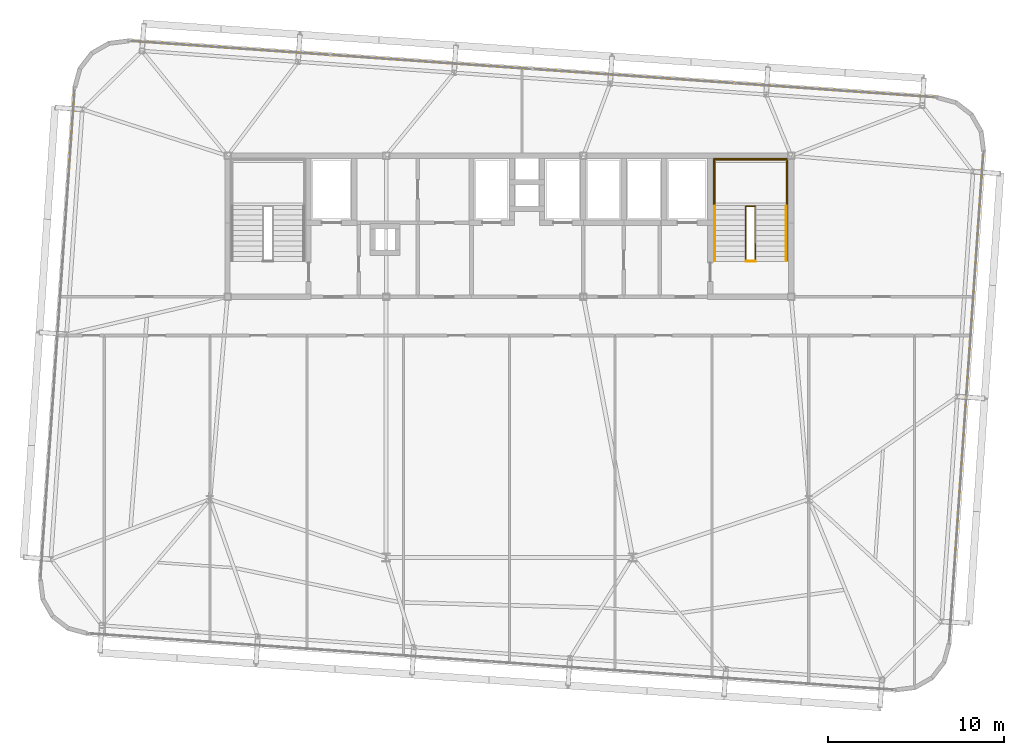
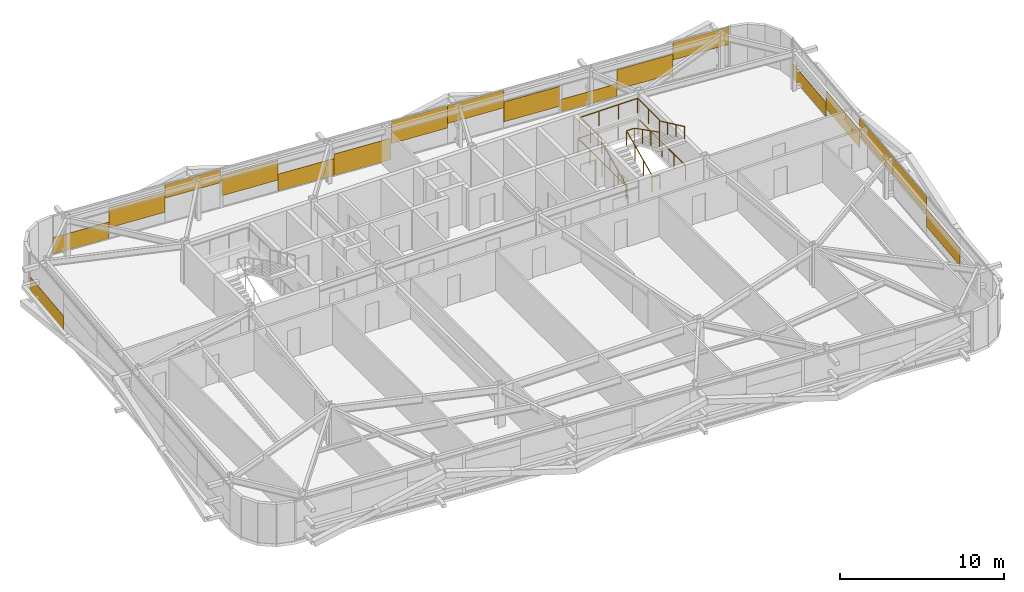
# One storey, part 39 of 39: 18 coverings, 6 railings.
"""IFC4 building model written with IfcOpenShell, lengths in metres."""

from ifc_helpers import new_model, si_unit, direction, frame, origin, origin_2d, place, context, subcontext, project, spatial, rectangle, extrude, source, transform, mapped, material, layer, layer_set, type_object, element, save


model = new_model("IFC4")

# Units and contexts
model_context = context("Model", 3, precision=1e-05, world=origin(), true_north=direction((0.0, 1.0)))
body_context = subcontext(model_context, "Body", "Model", "MODEL_VIEW")
ifc_project = project(units=[si_unit("LENGTHUNIT", "METRE"), si_unit("AREAUNIT", "SQUARE_METRE"), si_unit("VOLUMEUNIT", "CUBIC_METRE"), si_unit("PLANEANGLEUNIT", "RADIAN"), si_unit("MASSUNIT", "GRAM", prefix="KILO")], contexts=[model_context])

# Site, building, storey
site_placement = place(None, origin())
site = spatial("IfcSite", under=ifc_project, at=site_placement, CompositionType="ELEMENT")
building_placement = place(site_placement, origin())
building = spatial("IfcBuilding", under=site, at=building_placement, Name="Taldren Reach Tower", CompositionType="ELEMENT")
storey_placement = place(building_placement, frame((0.0, 0.0, 120.39990234375)))
storey = spatial("IfcBuildingStorey", under=building, at=storey_placement, Name="L36", CompositionType="ELEMENT", Elevation=120.39990234375)

# Railings
ifc_material_1 = material(Name="Steel Gr 350 (C350L0)", Category="steel")
ifc_layer_1 = layer(ifc_material_1, 0.050048828125)
ifc_layer_set_1 = layer_set([ifc_layer_1], Name="Steel Gr 350 (C350L0)")
railing_type_1 = type_object("IfcRailingType", Name="RL-STAIR-GR", PredefinedType="GUARDRAIL", material=ifc_layer_set_1)
railing_1_placement = place(storey_placement, frame((46.659912109375, 29.135009765625, 1.5751953125)))
element("IfcRailing", 1, at=railing_1_placement, inside=storey, type_object=railing_type_1, Name="Stair half-landing perimeter guard ST2-L36", PredefinedType="GUARDRAIL", context=body_context, shape_type="SweptSolid", body=[
    extrude(rectangle(XDim=0.047852, YDim=0.047852, at=origin_2d()), frame((0.0, 0.0, 1.09619140625), z_axis=(0.0, 1.0, 0.0), x_axis=(-1.0, 0.0, 0.0)), (0.0, 0.0, 1.0), 2.64501953125),
    extrude(rectangle(XDim=0.047852, YDim=0.047852, at=origin_2d()), frame((0.0, 2.64501953125, 1.09619140625), z_axis=(1.0, 0.0, 0.0), x_axis=(0.0, 1.0, 0.0)), (0.0, 0.0, 1.0), 4.080078125),
    extrude(rectangle(XDim=0.047852, YDim=0.047852, at=origin_2d()), frame((4.080078125, 2.64501953125, 1.09619140625), z_axis=(0.0, -1.0, 0.0), x_axis=(1.0, 0.0, 0.0)), (0.0, 0.0, 1.0), 2.64501953125),
    extrude(rectangle(XDim=0.041992, YDim=0.041992, at=origin_2d()), origin(), (0.0, 0.0, 1.0), 1.072021484375),
    extrude(rectangle(XDim=0.041992, YDim=0.041992, at=origin_2d()), frame((0.0, 1.322509765625, 0.0)), (0.0, 0.0, 1.0), 1.072021484375),
    extrude(rectangle(XDim=0.041992, YDim=0.041992, at=origin_2d()), frame((0.0, 2.64501953125, 0.0)), (0.0, 0.0, 1.0), 1.072021484375),
    extrude(rectangle(XDim=0.041992, YDim=0.041992, at=origin_2d()), frame((1.360107421875, 2.64501953125, 0.0)), (0.0, 0.0, 1.0), 1.072021484375),
    extrude(rectangle(XDim=0.041992, YDim=0.041992, at=origin_2d()), frame((2.719970703125, 2.64501953125, 0.0)), (0.0, 0.0, 1.0), 1.072021484375),
    extrude(rectangle(XDim=0.041992, YDim=0.041992, at=origin_2d()), frame((4.080078125, 2.64501953125, 0.0)), (0.0, 0.0, 1.0), 1.072021484375),
    extrude(rectangle(XDim=0.041992, YDim=0.041992, at=origin_2d()), frame((4.080078125, 1.322509765625, 0.0)), (0.0, 0.0, 1.0), 1.072021484375),
    extrude(rectangle(XDim=0.041992, YDim=0.041992, at=origin_2d()), frame((4.080078125, 0.0, 0.0)), (0.0, 0.0, 1.0), 1.072021484375),
])
railing_2_placement = place(storey_placement, frame((48.429931640625, 26.050048828125, 0.13134765625)))
element("IfcRailing", 2, at=railing_2_placement, inside=storey, type_object=railing_type_1, Name="Stairwell inner guard ST2-L36", PredefinedType="GUARDRAIL", context=body_context, shape_type="SweptSolid", body=[
    extrude(rectangle(XDim=0.047852, YDim=0.047852, at=origin_2d()), frame((0.0, 0.0, 1.09619140625), z_axis=(0.0, 0.905710134349, 0.423897573167), x_axis=(-1.0, 0.0, 0.0)), (0.0, 0.0, 1.0), 3.406005859375),
    extrude(rectangle(XDim=0.047852, YDim=0.047852, at=origin_2d()), frame((0.0, 3.0849609375, 2.5400390625), z_axis=(1.0, 0.0, 0.0), x_axis=(0.0, 1.0, 0.0)), (0.0, 0.0, 1.0), 0.5400390625),
    extrude(rectangle(XDim=0.047852, YDim=0.047852, at=origin_2d()), frame((0.5400390625, 3.0849609375, 2.5400390625), z_axis=(0.0, -0.890645957773, 0.45469745755), x_axis=(1.0, 0.0, 0.0)), (0.0, 0.0, 1.0), 3.463623046875),
    extrude(rectangle(XDim=0.041992, YDim=0.041992, at=origin_2d()), origin(), (0.0, 0.0, 1.0), 1.072021484375),
    extrude(rectangle(XDim=0.041992, YDim=0.041992, at=origin_2d()), frame((0.0, 1.0283203125, 0.481201171875)), (0.0, 0.0, 1.0), 1.072021484375),
    extrude(rectangle(XDim=0.041992, YDim=0.041992, at=origin_2d()), frame((0.0, 2.056640625, 0.962646484375)), (0.0, 0.0, 1.0), 1.072021484375),
    extrude(rectangle(XDim=0.041992, YDim=0.041992, at=origin_2d()), frame((0.0, 3.0849609375, 1.44384765625)), (0.0, 0.0, 1.0), 1.072021484375),
    extrude(rectangle(XDim=0.041992, YDim=0.041992, at=origin_2d()), frame((0.5400390625, 3.0849609375, 1.44384765625)), (0.0, 0.0, 1.0), 1.072021484375),
    extrude(rectangle(XDim=0.041992, YDim=0.041992, at=origin_2d()), frame((0.5400390625, 2.056640625, 1.96875)), (0.0, 0.0, 1.0), 1.072021484375),
    extrude(rectangle(XDim=0.041992, YDim=0.041992, at=origin_2d()), frame((0.5400390625, 1.0283203125, 2.493896484375)), (0.0, 0.0, 1.0), 1.072021484375),
    extrude(rectangle(XDim=0.041992, YDim=0.041992, at=origin_2d()), frame((0.5400390625, 0.0, 3.018798828125)), (0.0, 0.0, 1.0), 1.072021484375),
])
railing_3_placement = place(storey_placement, frame((48.429931640625, 26.010009765625, 0.0)))
element("IfcRailing", 3, at=railing_3_placement, inside=storey, type_object=railing_type_1, Name="Stairwell landing slot guard ST2-L36", PredefinedType="GUARDRAIL", context=body_context, shape_type="SweptSolid", body=[
    extrude(rectangle(XDim=0.047852, YDim=0.047852, at=origin_2d()), frame((0.0, 0.0, 1.09619140625), z_axis=(1.0, 0.0, 0.0), x_axis=(0.0, 1.0, 0.0)), (0.0, 0.0, 1.0), 0.5400390625),
    extrude(rectangle(XDim=0.041992, YDim=0.041992, at=origin_2d()), origin(), (0.0, 0.0, 1.0), 1.072021484375),
    extrude(rectangle(XDim=0.041992, YDim=0.041992, at=origin_2d()), frame((0.5400390625, 0.0, 0.0)), (0.0, 0.0, 1.0), 1.072021484375),
])
railing_4_placement = place(storey_placement, frame((46.590087890625, 26.050048828125, 0.0)))
element("IfcRailing", 4, at=railing_4_placement, inside=storey, type_object=railing_type_1, Name="Stairwell floor opening guard ST2-L36", PredefinedType="GUARDRAIL", context=body_context, shape_type="SweptSolid", body=[
    extrude(rectangle(XDim=0.047852, YDim=0.047852, at=origin_2d()), frame((0.0, 0.0, 1.09619140625), z_axis=(0.0, 1.0, 0.0), x_axis=(-1.0, 0.0, 0.0)), (0.0, 0.0, 1.0), 5.800048828125),
    extrude(rectangle(XDim=0.047852, YDim=0.047852, at=origin_2d()), frame((0.0, 5.800048828125, 1.09619140625), z_axis=(1.0, 0.0, 0.0), x_axis=(0.0, 1.0, 0.0)), (0.0, 0.0, 1.0), 4.219970703125),
    extrude(rectangle(XDim=0.047852, YDim=0.047852, at=origin_2d()), frame((4.219970703125, 5.800048828125, 1.09619140625), z_axis=(0.0, -1.0, 0.0), x_axis=(1.0, 0.0, 0.0)), (0.0, 0.0, 1.0), 5.800048828125),
    extrude(rectangle(XDim=0.041992, YDim=0.041992, at=origin_2d()), origin(), (0.0, 0.0, 1.0), 1.072021484375),
    extrude(rectangle(XDim=0.041992, YDim=0.041992, at=origin_2d()), frame((0.0, 1.449951171875, 0.0)), (0.0, 0.0, 1.0), 1.072021484375),
    extrude(rectangle(XDim=0.041992, YDim=0.041992, at=origin_2d()), frame((0.0, 2.89990234375, 0.0)), (0.0, 0.0, 1.0), 1.072021484375),
    extrude(rectangle(XDim=0.041992, YDim=0.041992, at=origin_2d()), frame((0.0, 4.35009765625, 0.0)), (0.0, 0.0, 1.0), 1.072021484375),
    extrude(rectangle(XDim=0.041992, YDim=0.041992, at=origin_2d()), frame((0.0, 5.800048828125, 0.0)), (0.0, 0.0, 1.0), 1.072021484375),
    extrude(rectangle(XDim=0.041992, YDim=0.041992, at=origin_2d()), frame((1.40673828125, 5.800048828125, 0.0)), (0.0, 0.0, 1.0), 1.072021484375),
    extrude(rectangle(XDim=0.041992, YDim=0.041992, at=origin_2d()), frame((2.813232421875, 5.800048828125, 0.0)), (0.0, 0.0, 1.0), 1.072021484375),
    extrude(rectangle(XDim=0.041992, YDim=0.041992, at=origin_2d()), frame((4.219970703125, 5.800048828125, 0.0)), (0.0, 0.0, 1.0), 1.072021484375),
    extrude(rectangle(XDim=0.041992, YDim=0.041992, at=origin_2d()), frame((4.219970703125, 4.35009765625, 0.0)), (0.0, 0.0, 1.0), 1.072021484375),
    extrude(rectangle(XDim=0.041992, YDim=0.041992, at=origin_2d()), frame((4.219970703125, 2.89990234375, 0.0)), (0.0, 0.0, 1.0), 1.072021484375),
    extrude(rectangle(XDim=0.041992, YDim=0.041992, at=origin_2d()), frame((4.219970703125, 1.449951171875, 0.0)), (0.0, 0.0, 1.0), 1.072021484375),
    extrude(rectangle(XDim=0.041992, YDim=0.041992, at=origin_2d()), frame((4.219970703125, 0.0, 0.0)), (0.0, 0.0, 1.0), 1.072021484375),
])
ifc_material_2 = material(Name="Stainless Steel Gr 316", Category="steel")
ifc_layer_2 = layer(ifc_material_2, 0.048095703125)
ifc_layer_set_2 = layer_set([ifc_layer_2], Name="Stainless Steel Gr 316")
railing_type_2 = type_object("IfcRailingType", Name="RL-STAIR-HR", PredefinedType="HANDRAIL", material=ifc_layer_set_2)
railing_5_placement = place(storey_placement, frame((46.669921875, 26.050048828125, 0.13134765625)))
element("IfcRailing", 5, at=railing_5_placement, inside=storey, type_object=railing_type_2, Name="Stair flight handrail ST2-L36-1", PredefinedType="HANDRAIL", context=body_context, shape_type="SweptSolid", body=[
    extrude(rectangle(XDim=0.047852, YDim=0.047852, at=origin_2d()), frame((0.0, 0.0, 0.89599609375), z_axis=(0.0, 0.905710134349, 0.423897573167), x_axis=(-1.0, 0.0, 0.0)), (0.0, 0.0, 1.0), 3.406005859375),
    extrude(rectangle(XDim=0.041992, YDim=0.041992, at=origin_2d()), origin(), (0.0, 0.0, 1.0), 0.871826171875),
    extrude(rectangle(XDim=0.041992, YDim=0.041992, at=origin_2d()), frame((0.0, 1.0283203125, 0.481201171875)), (0.0, 0.0, 1.0), 0.871826171875),
    extrude(rectangle(XDim=0.041992, YDim=0.041992, at=origin_2d()), frame((0.0, 2.056640625, 0.962646484375)), (0.0, 0.0, 1.0), 0.871826171875),
    extrude(rectangle(XDim=0.041992, YDim=0.041992, at=origin_2d()), frame((0.0, 3.0849609375, 1.44384765625)), (0.0, 0.0, 1.0), 0.871826171875),
])
railing_6_placement = place(storey_placement, frame((50.72998046875, 29.135009765625, 1.706298828125)))
element("IfcRailing", 6, at=railing_6_placement, inside=storey, type_object=railing_type_2, Name="Stair flight handrail ST2-L36-2", PredefinedType="HANDRAIL", context=body_context, shape_type="SweptSolid", body=[
    extrude(rectangle(XDim=0.047852, YDim=0.047852, at=origin_2d()), frame((0.0, 0.0, 0.89599609375), z_axis=(0.0, -0.905710134349, 0.423897573167), x_axis=(1.0, 0.0, 0.0)), (0.0, 0.0, 1.0), 3.406005859375),
    extrude(rectangle(XDim=0.041992, YDim=0.041992, at=origin_2d()), origin(), (0.0, 0.0, 1.0), 0.871826171875),
    extrude(rectangle(XDim=0.041992, YDim=0.041992, at=origin_2d()), frame((0.0, -1.0283203125, 0.481201171875)), (0.0, 0.0, 1.0), 0.871826171875),
    extrude(rectangle(XDim=0.041992, YDim=0.041992, at=origin_2d()), frame((0.0, -2.056640625, 0.962646484375)), (0.0, 0.0, 1.0), 0.871826171875),
    extrude(rectangle(XDim=0.041992, YDim=0.041992, at=origin_2d()), frame((0.0, -3.0849609375, 1.44384765625)), (0.0, 0.0, 1.0), 0.871826171875),
])

# Coverings
ifc_material_3 = material(Name="Pale Champagne Fluoropolymer Aluminium Spandrel Cladding", Category="aluminium")
ifc_layer_3 = layer(ifc_material_3, 0.0439453125)
ifc_layer_set_3 = layer_set([ifc_layer_3], Name="Pale Champagne Fluoropolymer Aluminium Spandrel Cladding")
covering_type = type_object("IfcCoveringType", Name="CV-CLAD-044", PredefinedType="CLADDING", material=ifc_layer_set_3)
shared_shape_1 = source(origin(), body_context, "Body", "SweptSolid", [
    extrude(rectangle(XDim=3.79833984375, YDim=0.0439453125, at=origin_2d()), origin(), (0.0, 0.0, 1.0), 1.22216796875),
])
covering_1_placement = place(storey_placement, frame((15.346435546875, 38.385986328125, 0.05517578125), z_axis=(0.0, 0.0, 1.0), x_axis=(-0.99756404731, 0.06975651593, 0.0)))
element("IfcCovering", 7, at=covering_1_placement, inside=storey, type_object=covering_type, Name="Diagrid closure cladding strip CW-4 panel 4.1 3", PredefinedType="CLADDING", context=body_context, shape_type="MappedRepresentation", body=[
    mapped(shared_shape_1, transform((0.0, 0.0, 0.0), scale=1.0)),
])
shared_shape_2 = source(origin(), body_context, "Body", "SweptSolid", [
    extrude(rectangle(XDim=3.79833984375, YDim=0.0439453125, at=origin_2d()), origin(), (0.0, 0.0, 1.0), 1.474365234375),
])
for number, where, z_axis, x_axis, name in (
    (8, (53.5166015625, 35.716796875, 0.5537109375), (0.0, 0.0, 1.0), (-0.99756404731, 0.06975651593, 0.0), "Diagrid closure cladding strip CW-4 panel 1.1 2"),
    (9, (19.135498046875, 38.12109375, 0.84228515625), (0.0, 0.0, 1.0), (-0.99756404731, 0.06975651593, 0.0), "Diagrid closure cladding strip CW-4 panel 4.1 2"),
):
    element("IfcCovering", number, at=place(storey_placement, frame(where, z_axis=z_axis, x_axis=x_axis)), inside=storey, type_object=covering_type, Name=name, PredefinedType="CLADDING", context=body_context, shape_type="MappedRepresentation", body=[
        mapped(shared_shape_2, transform((0.0, 0.0, 0.0), scale=1.0)),
    ])
shared_shape_3 = source(origin(), body_context, "Body", "SweptSolid", [
    extrude(rectangle(XDim=3.79833984375, YDim=0.0439453125, at=origin_2d()), origin(), (0.0, 0.0, 1.0), 0.993408203125),
])
covering_2_placement = place(storey_placement, frame((22.924560546875, 37.85595703125, 1.8818359375), z_axis=(0.0, 0.0, 1.0), x_axis=(-0.99756404731, 0.06975651593, 0.0)))
element("IfcCovering", 10, at=covering_2_placement, inside=storey, type_object=covering_type, Name="Diagrid closure cladding strip CW-4 panel 4.1 1", PredefinedType="CLADDING", context=body_context, shape_type="MappedRepresentation", body=[
    mapped(shared_shape_3, transform((0.0, 0.0, 0.0), scale=1.0)),
])
shared_shape_4 = source(origin(), body_context, "Body", "SweptSolid", [
    extrude(rectangle(XDim=3.81005859375, YDim=0.0439453125, at=origin_2d()), origin(), (0.0, 0.0, 1.0), 1.477783203125),
])
for number, where, z_axis, x_axis, name in (
    (11, (45.86279296875, 36.251953125, 0.51025390625), (0.0, 0.0, 1.0), (-0.99756404731, 0.06975651593, 0.0), "Diagrid closure cladding strip CW-4 panel 2.1 1"),
    (12, (26.789306640625, 37.585693359375, 0.88232421875), (0.0, 0.0, 1.0), (-0.99756404731, 0.06975651593, 0.0), "Diagrid closure cladding strip CW-4 panel 3.1 3"),
):
    element("IfcCovering", number, at=place(storey_placement, frame(where, z_axis=z_axis, x_axis=x_axis)), inside=storey, type_object=covering_type, Name=name, PredefinedType="CLADDING", context=body_context, shape_type="MappedRepresentation", body=[
        mapped(shared_shape_4, transform((0.0, 0.0, 0.0), scale=1.0)),
    ])
shared_shape_5 = source(origin(), body_context, "Body", "SweptSolid", [
    extrude(rectangle(XDim=3.81005859375, YDim=0.0439453125, at=origin_2d()), origin(), (0.0, 0.0, 1.0), 1.26220703125),
])
covering_3_placement = place(storey_placement, frame((30.590087890625, 37.320068359375, 0.05517578125), z_axis=(0.0, 0.0, 1.0), x_axis=(-0.99756404731, 0.06975651593, 0.0)))
element("IfcCovering", 13, at=covering_3_placement, inside=storey, type_object=covering_type, Name="Diagrid closure cladding strip CW-4 panel 3.1 2", PredefinedType="CLADDING", context=body_context, shape_type="MappedRepresentation", body=[
    mapped(shared_shape_5, transform((0.0, 0.0, 0.0), scale=1.0)),
])
shared_shape_6 = source(origin(), body_context, "Body", "SweptSolid", [
    extrude(rectangle(XDim=3.81005859375, YDim=0.0439453125, at=origin_2d()), origin(), (0.0, 0.0, 1.0), 1.587890625),
])
covering_4_placement = place(storey_placement, frame((34.390869140625, 37.05419921875, 0.05517578125), z_axis=(0.0, 0.0, 1.0), x_axis=(-0.99756404731, 0.06975651593, 0.0)))
element("IfcCovering", 14, at=covering_4_placement, inside=storey, type_object=covering_type, Name="Diagrid closure cladding strip CW-4 panel 3.1 1", PredefinedType="CLADDING", context=body_context, shape_type="MappedRepresentation", body=[
    mapped(shared_shape_6, transform((0.0, 0.0, 0.0), scale=1.0)),
])
shared_shape_7 = source(origin(), body_context, "Body", "SweptSolid", [
    extrude(rectangle(XDim=3.81005859375, YDim=0.0439453125, at=origin_2d()), origin(), (0.0, 0.0, 1.0), 1.64794921875),
])
covering_5_placement = place(storey_placement, frame((38.261474609375, 36.78369140625, 1.22705078125), z_axis=(0.0, 0.0, 1.0), x_axis=(-0.99756404731, 0.06975651593, 0.0)))
element("IfcCovering", 15, at=covering_5_placement, inside=storey, type_object=covering_type, Name="Diagrid closure cladding strip CW-4 panel 2.1 3", PredefinedType="CLADDING", context=body_context, shape_type="MappedRepresentation", body=[
    mapped(shared_shape_7, transform((0.0, 0.0, 0.0), scale=1.0)),
])
shared_shape_8 = source(origin(), body_context, "Body", "SweptSolid", [
    extrude(rectangle(XDim=3.81005859375, YDim=0.0439453125, at=origin_2d()), origin(), (0.0, 0.0, 1.0), 1.322265625),
])
covering_6_placement = place(storey_placement, frame((42.06201171875, 36.517822265625, 1.552734375), z_axis=(0.0, 0.0, 1.0), x_axis=(-0.99756404731, 0.06975651593, 0.0)))
element("IfcCovering", 16, at=covering_6_placement, inside=storey, type_object=covering_type, Name="Diagrid closure cladding strip CW-4 panel 2.1 2", PredefinedType="CLADDING", context=body_context, shape_type="MappedRepresentation", body=[
    mapped(shared_shape_8, transform((0.0, 0.0, 0.0), scale=1.0)),
])
shared_shape_9 = source(origin(), body_context, "Body", "SweptSolid", [
    extrude(rectangle(XDim=3.79833984375, YDim=0.0439453125, at=origin_2d()), origin(), (0.0, 0.0, 1.0), 0.93359375),
])
covering_7_placement = place(storey_placement, frame((49.7275390625, 35.981689453125, 0.054931640625), z_axis=(0.0, 0.0, 1.0), x_axis=(-0.99756404731, 0.06975651593, 0.0)))
element("IfcCovering", 17, at=covering_7_placement, inside=storey, type_object=covering_type, Name="Diagrid closure cladding strip CW-4 panel 1.1 3", PredefinedType="CLADDING", context=body_context, shape_type="MappedRepresentation", body=[
    mapped(shared_shape_9, transform((0.0, 0.0, 0.0), scale=1.0)),
])
shared_shape_10 = source(origin(), body_context, "Body", "SweptSolid", [
    extrude(rectangle(XDim=3.79833984375, YDim=0.0439453125, at=origin_2d()), origin(), (0.0, 0.0, 1.0), 1.2822265625),
])
covering_8_placement = place(storey_placement, frame((57.3056640625, 35.451904296875, 1.5927734375), z_axis=(0.0, 0.0, 1.0), x_axis=(-0.99756404731, 0.06975651593, 0.0)))
element("IfcCovering", 18, at=covering_8_placement, inside=storey, type_object=covering_type, Name="Diagrid closure cladding strip CW-4 panel 1.1 1", PredefinedType="CLADDING", context=body_context, shape_type="MappedRepresentation", body=[
    mapped(shared_shape_10, transform((0.0, 0.0, 0.0), scale=1.0)),
])
shared_shape_11 = source(origin(), body_context, "Body", "SweptSolid", [
    extrude(rectangle(XDim=4.631591796875, YDim=0.0439453125, at=origin_2d()), origin(), (0.0, 0.0, 1.0), 1.04345703125),
])
for number, where, z_axis, x_axis, name in (
    (19, (10.1630859375, 33.48974609375, 0.05517578125), (0.0, 0.0, 1.0), (-0.069756437251, -0.997564052812, 0.0), "Diagrid closure cladding strip CW-4 panel 1.1 1"),
    (20, (61.757080078125, 29.882080078125, 0.05517578125), (0.0, 0.0, 1.0), (0.069756437251, 0.997564052812, 0.0), "Diagrid closure cladding strip CW-4 panel 2.1 3"),
):
    element("IfcCovering", number, at=place(storey_placement, frame(where, z_axis=z_axis, x_axis=x_axis)), inside=storey, type_object=covering_type, Name=name, PredefinedType="CLADDING", context=body_context, shape_type="MappedRepresentation", body=[
        mapped(shared_shape_11, transform((0.0, 0.0, 0.0), scale=1.0)),
    ])
shared_shape_12 = source(origin(), body_context, "Body", "SweptSolid", [
    extrude(rectangle(XDim=4.631591796875, YDim=0.0439453125, at=origin_2d()), origin(), (0.0, 0.0, 1.0), 1.306640625),
])
for number, where, z_axis, x_axis, name in (
    (21, (60.4599609375, 11.33056640625, 0.671142578125), (0.0, 0.0, 1.0), (0.069756437251, 0.997564052812, 0.0), "Diagrid closure cladding strip CW-4 panel 1.1 2"),
    (22, (61.43408203125, 25.261474609375, 0.671142578125), (0.0, 0.0, 1.0), (0.069756437251, 0.997564052812, 0.0), "Diagrid closure cladding strip CW-4 panel 2.1 2"),
):
    element("IfcCovering", number, at=place(storey_placement, frame(where, z_axis=z_axis, x_axis=x_axis)), inside=storey, type_object=covering_type, Name=name, PredefinedType="CLADDING", context=body_context, shape_type="MappedRepresentation", body=[
        mapped(shared_shape_12, transform((0.0, 0.0, 0.0), scale=1.0)),
    ])
shared_shape_13 = source(origin(), body_context, "Body", "SweptSolid", [
    extrude(rectangle(XDim=4.631591796875, YDim=0.0439453125, at=origin_2d()), origin(), (0.0, 0.0, 1.0), 1.32470703125),
])
for number, where, z_axis, x_axis, name in (
    (23, (60.782958984375, 15.950927734375, 1.550537109375), (0.0, 0.0, 1.0), (0.069756437251, 0.997564052812, 0.0), "Diagrid closure cladding strip CW-4 panel 1.1 3"),
    (24, (61.111083984375, 20.64111328125, 1.550537109375), (0.0, 0.0, 1.0), (0.069756437251, 0.997564052812, 0.0), "Diagrid closure cladding strip CW-4 panel 2.1 1"),
):
    element("IfcCovering", number, at=place(storey_placement, frame(where, z_axis=z_axis, x_axis=x_axis)), inside=storey, type_object=covering_type, Name=name, PredefinedType="CLADDING", context=body_context, shape_type="MappedRepresentation", body=[
        mapped(shared_shape_13, transform((0.0, 0.0, 0.0), scale=1.0)),
    ])

save(model, "model.ifc")
